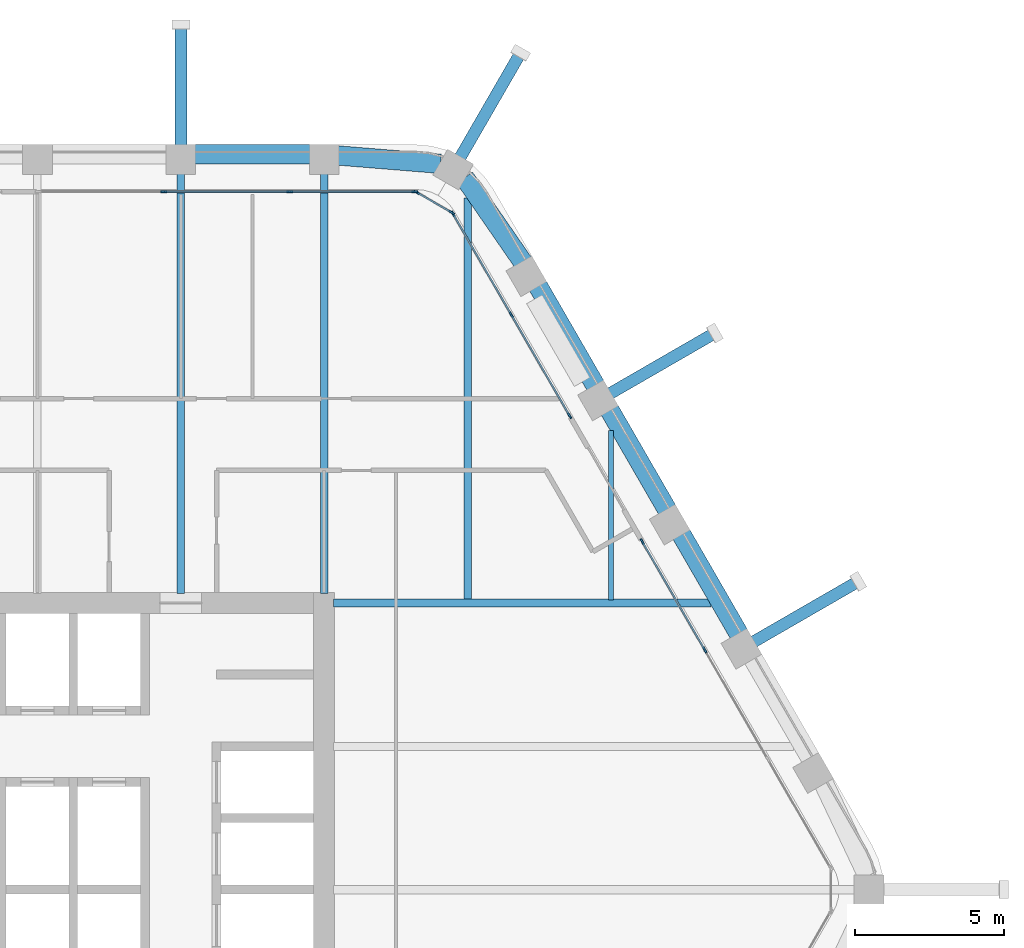
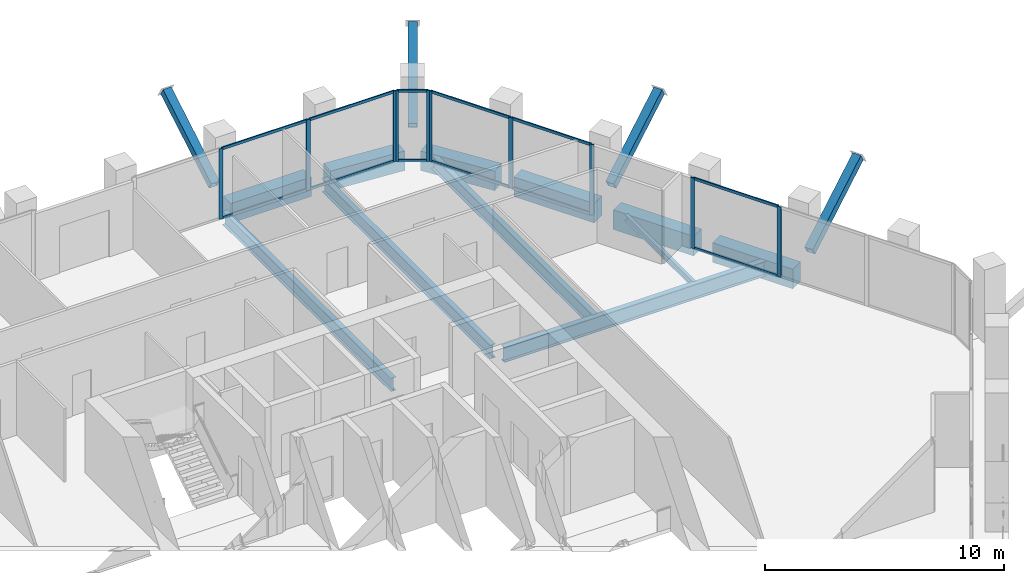
# One storey, part 7 of 16: 26 members, 11 beams, 4 elements without a shape of their own.
"""IFC4 building model written with IfcOpenShell, lengths in metres."""

from ifc_helpers import new_model, si_unit, direction, frame, origin, origin_2d, place, context, subcontext, project, spatial, rectangle, hollow_rectangle, i_section, extrude, material, material_profile, profile_set, type_object, element, aggregate, save


model = new_model("IFC4")

# Units and contexts
model_context = context("Model", 3, precision=1e-05, world=origin(), true_north=direction((0.0, 1.0)))
body_context = subcontext(model_context, "Body", "Model", "MODEL_VIEW")
ifc_project = project(units=[si_unit("LENGTHUNIT", "METRE"), si_unit("AREAUNIT", "SQUARE_METRE"), si_unit("VOLUMEUNIT", "CUBIC_METRE"), si_unit("PLANEANGLEUNIT", "RADIAN"), si_unit("MASSUNIT", "GRAM", prefix="KILO")], contexts=[model_context])

# Site, building, storey
site_placement = place(None, origin())
site = spatial("IfcSite", under=ifc_project, at=site_placement, CompositionType="ELEMENT")
building_placement = place(site_placement, origin())
building = spatial("IfcBuilding", under=site, at=building_placement, Name="Kolab Exchange Tower", CompositionType="ELEMENT")
storey_placement = place(building_placement, frame((0.0, 0.0, 162.199951171875)))
storey = spatial("IfcBuildingStorey", under=building, at=storey_placement, Name="L33", CompositionType="ELEMENT", Elevation=162.199951171875)

# Beams
ifc_material_1 = material(Name="Steel S355", Category="steel")
ifc_material_profile_1 = material_profile(ifc_material_1, i_section(OverallWidth=0.1650390625, OverallDepth=0.31005859375, WebThickness=0.005859375, FlangeThickness=0.009765625, at=origin_2d()), Name="W310X39")
ifc_profile_set_1 = profile_set([ifc_material_profile_1], Name="Steel S355")
beam_type_1 = type_object("IfcBeamType", Name="FLOOR BEAM W310X39", PredefinedType="BEAM", material=ifc_profile_set_1)
beam_1_placement = place(storey_placement, frame((19.199951171875, 9.693603515625, -0.304931640625), z_axis=(0.0, 1.0, 0.0), x_axis=(-1.0, 0.0, 0.0)))
element("IfcBeam", 1, at=beam_1_placement, inside=storey, type_object=beam_type_1, Name="beam/L33/fr/023", PredefinedType="BEAM", context=body_context, shape_type="SweptSolid", body=[
    extrude(i_section(OverallWidth=0.1650390625, OverallDepth=0.31005859375, WebThickness=0.005859375, FlangeThickness=0.009765625, at=origin_2d()), origin(), (0.0, 0.0, 1.0), 5.674072265625),
])
ifc_material_profile_2 = material_profile(ifc_material_1, i_section(OverallWidth=0.25390625, OverallDepth=0.68408203125, WebThickness=0.012451171875, FlangeThickness=0.018798828125, at=origin_2d()), Name="W690X140")
ifc_profile_set_2 = profile_set([ifc_material_profile_2], Name="Steel S355")
beam_type_2 = type_object("IfcBeamType", Name="FLOOR BEAM W690X140", PredefinedType="BEAM", material=ifc_profile_set_2)
for number, where, z_axis, x_axis, name in (
    (2, (4.800048828125, 9.909912109375, -0.491943359375), (0.0, 1.0, 0.0), (-1.0, 0.0, 0.0), "beam/L33/fr/014"),
    (3, (9.60009765625, 9.909912109375, -0.491943359375), (0.0, 1.0, 0.0), (-1.0, 0.0, 0.0), "beam/L33/fr/016"),
):
    element("IfcBeam", number, at=place(storey_placement, frame(where, z_axis=z_axis, x_axis=x_axis)), inside=storey, type_object=beam_type_2, Name=name, PredefinedType="BEAM", context=body_context, shape_type="SweptSolid", body=[
        extrude(i_section(OverallWidth=0.25390625, OverallDepth=0.68408203125, WebThickness=0.012451171875, FlangeThickness=0.018798828125, at=origin_2d()), origin(), (0.0, 0.0, 1.0), 14.071533203125),
    ])
beam_2_placement = place(storey_placement, frame((14.39990234375, 9.693603515625, -0.491943359375), z_axis=(0.0, 1.0, 0.0), x_axis=(-1.0, 0.0, 0.0)))
element("IfcBeam", 4, at=beam_2_placement, inside=storey, type_object=beam_type_2, Name="beam/L33/fr/021", PredefinedType="BEAM", context=body_context, shape_type="SweptSolid", body=[
    extrude(i_section(OverallWidth=0.25390625, OverallDepth=0.68408203125, WebThickness=0.012451171875, FlangeThickness=0.018798828125, at=origin_2d()), origin(), (0.0, 0.0, 1.0), 13.462158203125),
])
ifc_material_profile_3 = material_profile(ifc_material_1, i_section(OverallWidth=0.26708984375, OverallDepth=0.761962890625, WebThickness=0.014404296875, FlangeThickness=0.021484375, at=origin_2d()), Name="W760X173")
ifc_profile_set_3 = profile_set([ifc_material_profile_3], Name="Steel S355")
beam_type_3 = type_object("IfcBeamType", Name="FLOOR GIRDER W760X173", PredefinedType="BEAM", material=ifc_profile_set_3)
beam_3_placement = place(storey_placement, frame((9.909912109375, 9.60009765625, -0.531005859375), z_axis=(1.0, 0.0, 0.0), x_axis=(0.0, 1.0, 0.0)))
element("IfcBeam", 5, at=beam_3_placement, inside=storey, type_object=beam_type_3, Name="beam/L33/gd/003", PredefinedType="BEAM", context=body_context, shape_type="SweptSolid", body=[
    extrude(i_section(OverallWidth=0.26708984375, OverallDepth=0.761962890625, WebThickness=0.014404296875, FlangeThickness=0.021484375, at=origin_2d()), origin(), (0.0, 0.0, 1.0), 12.636962890625),
])

# Members
ifc_material_profile_4 = material_profile(ifc_material_1, hollow_rectangle(XDim=0.39990234375, YDim=0.39990234375, WallThickness=0.02001953125, at=origin_2d()), Name="HSS400X400X20")
ifc_profile_set_4 = profile_set([ifc_material_profile_4], Name="Steel S355")
member_type_1 = type_object("IfcMemberType", Name="LEDGE STRUT HSS400X400X20", PredefinedType="STRUT", material=ifc_profile_set_4)
member_1_placement = place(storey_placement, frame((4.800048828125, 24.901611328125, 0.60009765625), z_axis=(0.0, 0.862719931648, 0.505682034027), x_axis=(-1.0, 0.0, 0.0)))
element("IfcMember", 6, at=member_1_placement, inside=storey, type_object=member_type_1, Name="mem/L33/ledge/strut-2", PredefinedType="STRUT", context=body_context, shape_type="SweptSolid", body=[
    extrude(hollow_rectangle(XDim=0.39990234375, YDim=0.39990234375, WallThickness=0.02001953125, at=origin_2d()), origin(), (0.0, 0.0, 1.0), 4.6826171875),
])
for number, where, z_axis, x_axis, name in (
    (7, (14.14794921875, 24.5048828125, 0.60009765625), (0.431366436313, 0.74714919009, 0.505659060406), (-0.866025579307, 0.499999695987, 0.0), "mem/L33/ledge/strut-3"),
    (8, (19.165283203125, 16.607666015625, 0.60009765625), (0.74714919009, 0.431366436313, 0.505659060406), (-0.499999695987, 0.866025579307, 0.0), "mem/L33/ledge/strut-4"),
    (9, (23.96533203125, 8.293701171875, 0.60009765625), (0.74714919009, 0.431366436313, 0.505659060406), (-0.499999695987, 0.866025579307, 0.0), "mem/L33/ledge/strut-5"),
):
    element("IfcMember", number, at=place(storey_placement, frame(where, z_axis=z_axis, x_axis=x_axis)), inside=storey, type_object=member_type_1, Name=name, PredefinedType="STRUT", context=body_context, shape_type="SweptSolid", body=[
        extrude(hollow_rectangle(XDim=0.39990234375, YDim=0.39990234375, WallThickness=0.02001953125, at=origin_2d()), origin(), (0.0, 0.0, 1.0), 4.682861328125),
    ])

# Beams
ifc_material_2 = material(Name="Concrete C60/75", Category="concrete")
ifc_material_profile_5 = material_profile(ifc_material_2, rectangle(XDim=0.64990234375, YDim=1.0, at=origin_2d()), Name="RC650X1000")
ifc_profile_set_5 = profile_set([ifc_material_profile_5], Name="Concrete C60/75")
beam_type_4 = type_object("IfcBeamType", Name="SPANDREL BEAM 650X1000 C60/75", PredefinedType="BEAM", material=ifc_profile_set_5)
beam_4_placement = place(storey_placement, frame((5.260009765625, 24.616455078125, -0.64990234375), z_axis=(1.0, 0.0, 0.0), x_axis=(0.0, 1.0, 0.0)))
element("IfcBeam", 10, at=beam_4_placement, inside=storey, type_object=beam_type_4, Name="beam/L33/sp/F1-05", PredefinedType="BEAM", context=body_context, shape_type="SweptSolid", body=[
    extrude(rectangle(XDim=0.64990234375, YDim=1.0, at=origin_2d()), origin(), (0.0, 0.0, 1.0), 3.8798828125),
])
for number, where, z_axis, x_axis, name in (
    (11, (10.06005859375, 24.5791015625, -0.64990234375), (0.996708497182, -0.081068931445, 0.0), (0.081068931445, 0.996708497182, 0.0), "beam/L33/sp/F1-06"),
    (12, (14.29736328125, 23.8359375, -0.64990234375), (0.568572281073, -0.822633309073, 0.0), (0.822633309073, 0.568572281073, 0.0), "beam/L33/sp/F2-01"),
):
    element("IfcBeam", number, at=place(storey_placement, frame(where, z_axis=z_axis, x_axis=x_axis)), inside=storey, type_object=beam_type_4, Name=name, PredefinedType="BEAM", context=body_context, shape_type="SweptSolid", body=[
        extrude(rectangle(XDim=0.64990234375, YDim=1.0, at=origin_2d()), origin(), (0.0, 0.0, 1.0), 3.445068359375),
    ])
beam_5_placement = place(storey_placement, frame((16.74853515625, 20.2236328125, -0.64990234375), z_axis=(0.499996613652, -0.866027358884, 0.0), x_axis=(0.866027358884, 0.499996613652, 0.0)))
element("IfcBeam", 13, at=beam_5_placement, inside=storey, type_object=beam_type_4, Name="beam/L33/sp/F2-02", PredefinedType="BEAM", context=body_context, shape_type="SweptSolid", body=[
    extrude(rectangle(XDim=0.64990234375, YDim=1.0, at=origin_2d()), origin(), (0.0, 0.0, 1.0), 3.8798828125),
])
beam_6_placement = place(storey_placement, frame((19.1484375, 16.06689453125, -0.64990234375), z_axis=(0.50001655835, -0.866015843605, 0.0), x_axis=(0.866015843605, 0.50001655835, 0.0)))
element("IfcBeam", 14, at=beam_6_placement, inside=storey, type_object=beam_type_4, Name="beam/L33/sp/F2-03", PredefinedType="BEAM", context=body_context, shape_type="SweptSolid", body=[
    extrude(rectangle(XDim=0.64990234375, YDim=1.0, at=origin_2d()), origin(), (0.0, 0.0, 1.0), 3.880126953125),
])
beam_7_placement = place(storey_placement, frame((21.548583984375, 11.909912109375, -0.64990234375), z_axis=(0.499996613652, -0.866027358884, 0.0), x_axis=(0.866027358884, 0.499996613652, 0.0)))
element("IfcBeam", 15, at=beam_7_placement, inside=storey, type_object=beam_type_4, Name="beam/L33/sp/F2-04", PredefinedType="BEAM", context=body_context, shape_type="SweptSolid", body=[
    extrude(rectangle(XDim=0.64990234375, YDim=1.0, at=origin_2d()), origin(), (0.0, 0.0, 1.0), 3.8798828125),
])

# Curtain wall, members
ifc_material_3 = material(Name="Aluminium EN AW-6063 T6", Category="aluminium")
curtain_wall_type = type_object("IfcCurtainWallType", Name="UNITISED UPPER MID ZONE CURTAIN WALL", PredefinedType="NOTDEFINED", material=ifc_material_3)
curtain_wall_1_placement = place(storey_placement, origin())
curtain_wall_1 = element("IfcCurtainWall", 16, at=curtain_wall_1_placement, inside=storey, type_object=curtain_wall_type, Name="cw/L33/F1-2", PredefinedType="NOTDEFINED")
ifc_material_profile_6 = material_profile(ifc_material_3, rectangle(XDim=0.06005859375, YDim=0.199951171875, at=origin_2d()), Name="RECT 60X200")
ifc_profile_set_6 = profile_set([ifc_material_profile_6], Name="Aluminium EN AW-6063 T6")
member_type_2 = type_object("IfcMemberType", Name="UNITISED UPPER MID ZONE MULLION 60 X 200", PredefinedType="MULLION", material=ifc_profile_set_6)
member_2_placement = place(storey_placement, frame((4.22265625, 23.361572265625, 0.0), z_axis=(0.0, 0.0, 1.0), x_axis=(0.0, 1.0, 0.0)))
member_2 = element("IfcMember", 17, at=member_2_placement, type_object=member_type_2, Name="CW3 mullion 2", PredefinedType="MULLION", context=body_context, shape_type="SweptSolid", body=[
    extrude(rectangle(XDim=0.06005859375, YDim=0.199951171875, at=origin_2d()), origin(), (0.0, 0.0, 1.0), 3.60009765625),
])
member_3_placement = place(storey_placement, frame((8.4453125, 23.361572265625, 0.0), z_axis=(0.0, 0.0, 1.0), x_axis=(0.0, 1.0, 0.0)))
member_3 = element("IfcMember", 18, at=member_3_placement, type_object=member_type_2, Name="CW3 mullion 3", PredefinedType="MULLION", context=body_context, shape_type="SweptSolid", body=[
    extrude(rectangle(XDim=0.06005859375, YDim=0.199951171875, at=origin_2d()), origin(), (0.0, 0.0, 1.0), 3.60009765625),
])
member_4_placement = place(storey_placement, frame((12.637939453125, 23.361572265625, 0.0), z_axis=(0.0, 0.0, 1.0), x_axis=(0.0, 1.0, 0.0)))
member_4 = element("IfcMember", 19, at=member_4_placement, type_object=member_type_2, Name="CW3 mullion 4", PredefinedType="MULLION", context=body_context, shape_type="SweptSolid", body=[
    extrude(rectangle(XDim=0.06005859375, YDim=0.199951171875, at=origin_2d()), origin(), (0.0, 0.0, 1.0), 3.60009765625),
])

curtain_wall_2_placement = place(storey_placement, origin())
curtain_wall_2 = element("IfcCurtainWall", 20, at=curtain_wall_2_placement, inside=storey, type_object=curtain_wall_type, Name="cw/L33/F2-1", PredefinedType="NOTDEFINED")
member_5_placement = place(storey_placement, frame((13.91259765625, 22.62548828125, 0.0), z_axis=(0.0, 0.0, 1.0), x_axis=(0.866025385493, 0.500000031681, 0.0)))
member_5 = element("IfcMember", 21, at=member_5_placement, type_object=member_type_2, Name="CW3 mullion 1", PredefinedType="MULLION", context=body_context, shape_type="SweptSolid", body=[
    extrude(rectangle(XDim=0.06005859375, YDim=0.199951171875, at=origin_2d()), origin(), (0.0, 0.0, 1.0), 3.60009765625),
])
member_6_placement = place(storey_placement, frame((15.86474609375, 19.24462890625, 0.0), z_axis=(0.0, 0.0, 1.0), x_axis=(0.866025385493, 0.500000031681, 0.0)))
member_6 = element("IfcMember", 22, at=member_6_placement, type_object=member_type_2, Name="CW3 mullion 2", PredefinedType="MULLION", context=body_context, shape_type="SweptSolid", body=[
    extrude(rectangle(XDim=0.06005859375, YDim=0.199951171875, at=origin_2d()), origin(), (0.0, 0.0, 1.0), 3.60009765625),
])
member_7_placement = place(storey_placement, frame((17.816650390625, 15.86376953125, 0.0), z_axis=(0.0, 0.0, 1.0), x_axis=(0.866025385493, 0.500000031681, 0.0)))
member_7 = element("IfcMember", 23, at=member_7_placement, type_object=member_type_2, Name="CW3 mullion 3", PredefinedType="MULLION", context=body_context, shape_type="SweptSolid", body=[
    extrude(rectangle(XDim=0.06005859375, YDim=0.199951171875, at=origin_2d()), origin(), (0.0, 0.0, 1.0), 3.60009765625),
])

curtain_wall_3_placement = place(storey_placement, origin())
curtain_wall_3 = element("IfcCurtainWall", 24, at=curtain_wall_3_placement, inside=storey, type_object=curtain_wall_type, Name="cw/L33/F2-2", PredefinedType="NOTDEFINED")
member_8_placement = place(storey_placement, frame((20.24658203125, 11.65478515625, 0.0), z_axis=(0.0, 0.0, 1.0), x_axis=(0.866025427826, 0.499999958358, 0.0)))
member_8 = element("IfcMember", 25, at=member_8_placement, type_object=member_type_2, Name="CW3 mullion 1", PredefinedType="MULLION", context=body_context, shape_type="SweptSolid", body=[
    extrude(rectangle(XDim=0.06005859375, YDim=0.199951171875, at=origin_2d()), origin(), (0.0, 0.0, 1.0), 3.60009765625),
])
member_9_placement = place(storey_placement, frame((22.343017578125, 8.02392578125, 0.0), z_axis=(0.0, 0.0, 1.0), x_axis=(0.866025427826, 0.499999958358, 0.0)))
member_9 = element("IfcMember", 26, at=member_9_placement, type_object=member_type_2, Name="CW3 mullion 2", PredefinedType="MULLION", context=body_context, shape_type="SweptSolid", body=[
    extrude(rectangle(XDim=0.06005859375, YDim=0.199951171875, at=origin_2d()), origin(), (0.0, 0.0, 1.0), 3.60009765625),
])

curtain_wall_4_placement = place(storey_placement, origin())
curtain_wall_4 = element("IfcCurtainWall", 27, at=curtain_wall_4_placement, inside=storey, type_object=curtain_wall_type, Name="cw/L33/F1F2-corner", PredefinedType="NOTDEFINED")
member_10_placement = place(storey_placement, frame((12.69384765625, 23.346435546875, 0.0), z_axis=(0.0, 0.0, 1.0), x_axis=(0.50000002237, 0.866025390869, 0.0)))
member_10 = element("IfcMember", 28, at=member_10_placement, type_object=member_type_2, Name="CW3 mullion 1", PredefinedType="MULLION", context=body_context, shape_type="SweptSolid", body=[
    extrude(rectangle(XDim=0.06005859375, YDim=0.199951171875, at=origin_2d()), origin(), (0.0, 0.0, 1.0), 3.60009765625),
])
member_11_placement = place(storey_placement, frame((13.871826171875, 22.66650390625, 0.0), z_axis=(0.0, 0.0, 1.0), x_axis=(0.50000002237, 0.866025390869, 0.0)))
member_11 = element("IfcMember", 29, at=member_11_placement, type_object=member_type_2, Name="CW3 mullion 2", PredefinedType="MULLION", context=body_context, shape_type="SweptSolid", body=[
    extrude(rectangle(XDim=0.06005859375, YDim=0.199951171875, at=origin_2d()), origin(), (0.0, 0.0, 1.0), 3.60009765625),
])

# Member
ifc_material_profile_7 = material_profile(ifc_material_3, rectangle(XDim=0.06005859375, YDim=0.139892578125, at=origin_2d()), Name="RECT 60X140")
ifc_profile_set_7 = profile_set([ifc_material_profile_7], Name="Aluminium EN AW-6063 T6")
member_type_3 = type_object("IfcMemberType", Name="UNITISED UPPER MID ZONE TRANSOM 60 X 140", PredefinedType="USERDEFINED", material=ifc_profile_set_7)
member_12_placement = place(storey_placement, frame((4.252685546875, 23.361572265625, 0.030029296875), z_axis=(1.0, 0.0, 0.0), x_axis=(0.0, 1.0, 0.0)))
member_12 = element("IfcMember", 30, at=member_12_placement, type_object=member_type_3, Name="CW3 transom 2.1", ObjectType="TRANSOM", PredefinedType="USERDEFINED", context=body_context, shape_type="SweptSolid", body=[
    extrude(rectangle(XDim=0.06005859375, YDim=0.139892578125, at=origin_2d()), origin(), (0.0, 0.0, 1.0), 4.16259765625),
])

member_13_placement = place(storey_placement, frame((4.252685546875, 23.361572265625, 3.570068359375), z_axis=(1.0, 0.0, 0.0), x_axis=(0.0, 1.0, 0.0)))
member_13 = element("IfcMember", 31, at=member_13_placement, type_object=member_type_3, Name="CW3 transom 2.2", ObjectType="TRANSOM", PredefinedType="USERDEFINED", context=body_context, shape_type="SweptSolid", body=[
    extrude(rectangle(XDim=0.06005859375, YDim=0.139892578125, at=origin_2d()), origin(), (0.0, 0.0, 1.0), 4.16259765625),
])

member_14_placement = place(storey_placement, frame((8.475341796875, 23.361572265625, 0.030029296875), z_axis=(1.0, 0.0, 0.0), x_axis=(0.0, 1.0, 0.0)))
member_14 = element("IfcMember", 32, at=member_14_placement, type_object=member_type_3, Name="CW3 transom 3.1", ObjectType="TRANSOM", PredefinedType="USERDEFINED", context=body_context, shape_type="SweptSolid", body=[
    extrude(rectangle(XDim=0.06005859375, YDim=0.139892578125, at=origin_2d()), origin(), (0.0, 0.0, 1.0), 4.132568359375),
])

member_15_placement = place(storey_placement, frame((8.475341796875, 23.361572265625, 3.570068359375), z_axis=(1.0, 0.0, 0.0), x_axis=(0.0, 1.0, 0.0)))
member_15 = element("IfcMember", 33, at=member_15_placement, type_object=member_type_3, Name="CW3 transom 3.2", ObjectType="TRANSOM", PredefinedType="USERDEFINED", context=body_context, shape_type="SweptSolid", body=[
    extrude(rectangle(XDim=0.06005859375, YDim=0.139892578125, at=origin_2d()), origin(), (0.0, 0.0, 1.0), 4.132568359375),
])

aggregate(curtain_wall_1, [member_2, member_3, member_4, member_12, member_13, member_14, member_15])

member_16_placement = place(storey_placement, frame((13.927734375, 22.599609375, 0.030029296875), z_axis=(0.499964356602, -0.866045981532, 0.0), x_axis=(0.866045981532, 0.499964356602, 0.0)))
member_16 = element("IfcMember", 34, at=member_16_placement, type_object=member_type_3, Name="CW3 transom 1.1", ObjectType="TRANSOM", PredefinedType="USERDEFINED", context=body_context, shape_type="SweptSolid", body=[
    extrude(rectangle(XDim=0.06005859375, YDim=0.139892578125, at=origin_2d()), origin(), (0.0, 0.0, 1.0), 3.843994140625),
])

member_17_placement = place(storey_placement, frame((13.927734375, 22.599609375, 3.570068359375), z_axis=(0.499964356602, -0.866045981532, 0.0), x_axis=(0.866045981532, 0.499964356602, 0.0)))
member_17 = element("IfcMember", 35, at=member_17_placement, type_object=member_type_3, Name="CW3 transom 1.2", ObjectType="TRANSOM", PredefinedType="USERDEFINED", context=body_context, shape_type="SweptSolid", body=[
    extrude(rectangle(XDim=0.06005859375, YDim=0.139892578125, at=origin_2d()), origin(), (0.0, 0.0, 1.0), 3.843994140625),
])

member_18_placement = place(storey_placement, frame((15.879638671875, 19.21875, 0.030029296875), z_axis=(0.500011990396, -0.866018481016, 0.0), x_axis=(0.866018481016, 0.500011990396, 0.0)))
member_18 = element("IfcMember", 36, at=member_18_placement, type_object=member_type_3, Name="CW3 transom 2.1", ObjectType="TRANSOM", PredefinedType="USERDEFINED", context=body_context, shape_type="SweptSolid", body=[
    extrude(rectangle(XDim=0.06005859375, YDim=0.139892578125, at=origin_2d()), origin(), (0.0, 0.0, 1.0), 3.84423828125),
])

member_19_placement = place(storey_placement, frame((15.879638671875, 19.21875, 3.570068359375), z_axis=(0.500011990396, -0.866018481016, 0.0), x_axis=(0.866018481016, 0.500011990396, 0.0)))
member_19 = element("IfcMember", 37, at=member_19_placement, type_object=member_type_3, Name="CW3 transom 2.2", ObjectType="TRANSOM", PredefinedType="USERDEFINED", context=body_context, shape_type="SweptSolid", body=[
    extrude(rectangle(XDim=0.06005859375, YDim=0.139892578125, at=origin_2d()), origin(), (0.0, 0.0, 1.0), 3.84423828125),
])

aggregate(curtain_wall_2, [member_5, member_6, member_7, member_16, member_17, member_18, member_19])

member_20_placement = place(storey_placement, frame((20.26171875, 11.62890625, 0.030029296875), z_axis=(0.500001996123, -0.866024251319, 0.0), x_axis=(0.866024251319, 0.500001996123, 0.0)))
member_20 = element("IfcMember", 38, at=member_20_placement, type_object=member_type_3, Name="CW3 transom 1.1", ObjectType="TRANSOM", PredefinedType="USERDEFINED", context=body_context, shape_type="SweptSolid", body=[
    extrude(rectangle(XDim=0.06005859375, YDim=0.139892578125, at=origin_2d()), origin(), (0.0, 0.0, 1.0), 4.1328125),
])

member_21_placement = place(storey_placement, frame((20.26171875, 11.62890625, 3.570068359375), z_axis=(0.500001996123, -0.866024251319, 0.0), x_axis=(0.866024251319, 0.500001996123, 0.0)))
member_21 = element("IfcMember", 39, at=member_21_placement, type_object=member_type_3, Name="CW3 transom 1.2", ObjectType="TRANSOM", PredefinedType="USERDEFINED", context=body_context, shape_type="SweptSolid", body=[
    extrude(rectangle(XDim=0.06005859375, YDim=0.139892578125, at=origin_2d()), origin(), (0.0, 0.0, 1.0), 4.1328125),
])

aggregate(curtain_wall_3, [member_8, member_9, member_20, member_21])

member_22_placement = place(storey_placement, frame((12.719970703125, 23.33154296875, 0.030029296875), z_axis=(0.86603858612, -0.49997716683, 0.0), x_axis=(0.49997716683, 0.86603858612, 0.0)))
member_22 = element("IfcMember", 40, at=member_22_placement, type_object=member_type_3, Name="CW3 transom 1.1", ObjectType="TRANSOM", PredefinedType="USERDEFINED", context=body_context, shape_type="SweptSolid", body=[
    extrude(rectangle(XDim=0.06005859375, YDim=0.139892578125, at=origin_2d()), origin(), (0.0, 0.0, 1.0), 1.2998046875),
])

member_23_placement = place(storey_placement, frame((12.719970703125, 23.33154296875, 3.570068359375), z_axis=(0.86603858612, -0.49997716683, 0.0), x_axis=(0.49997716683, 0.86603858612, 0.0)))
member_23 = element("IfcMember", 41, at=member_23_placement, type_object=member_type_3, Name="CW3 transom 1.2", ObjectType="TRANSOM", PredefinedType="USERDEFINED", context=body_context, shape_type="SweptSolid", body=[
    extrude(rectangle(XDim=0.06005859375, YDim=0.139892578125, at=origin_2d()), origin(), (0.0, 0.0, 1.0), 1.2998046875),
])

aggregate(curtain_wall_4, [member_10, member_11, member_22, member_23])

save(model, "model.ifc")
